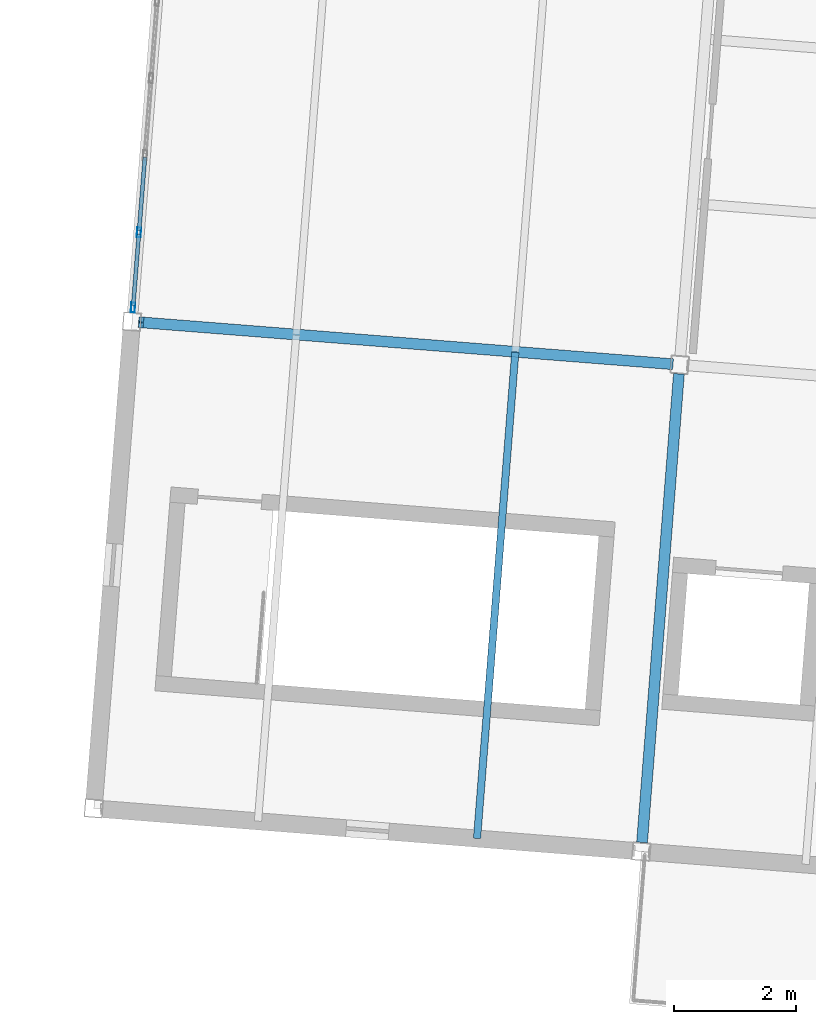
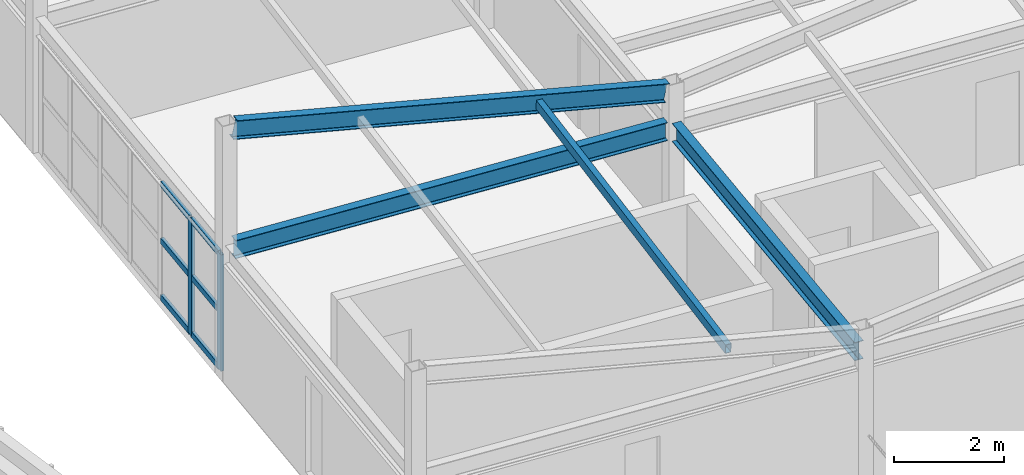
# One storey, part 40 of 127: 9 members, 3 beams, 1 element without a shape of its own.
"""IFC4 building model written with IfcOpenShell, lengths in metres."""

from ifc_helpers import new_model, si_unit, direction, frame, origin, origin_2d, place, context, subcontext, project, spatial, hollow_rectangle, i_section, extrude, material, material_profile, profile_set, type_object, element, aggregate, save


model = new_model("IFC4")

# Units and contexts
model_context = context("Model", 3, precision=1e-05, world=origin(), true_north=direction((0.0, 1.0)))
body_context = subcontext(model_context, "Body", "Model", "MODEL_VIEW")
ifc_project = project(units=[si_unit("LENGTHUNIT", "METRE"), si_unit("AREAUNIT", "SQUARE_METRE"), si_unit("VOLUMEUNIT", "CUBIC_METRE"), si_unit("PLANEANGLEUNIT", "RADIAN"), si_unit("MASSUNIT", "GRAM", prefix="KILO")], contexts=[model_context])

# Site, building, storey
site_placement = place(None, origin())
site = spatial("IfcSite", under=ifc_project, at=site_placement, CompositionType="ELEMENT")
building_placement = place(site_placement, origin())
building = spatial("IfcBuilding", under=site, at=building_placement, Name="Kestramere Prow Commons", CompositionType="ELEMENT")
storey_placement = place(building_placement, frame((0.0, 0.0, 8.39990234375)))
storey = spatial("IfcBuildingStorey", under=building, at=storey_placement, Name="L02", CompositionType="ELEMENT", Elevation=8.39990234375)

# Beams
ifc_material_1 = material(Name="Steel S355JR", Category="steel")
ifc_material_profile_1 = material_profile(ifc_material_1, i_section(OverallWidth=0.177978515625, OverallDepth=0.406494140625, WebThickness=0.0078125, FlangeThickness=0.0126953125, FilletRadius=0.01025390625, at=origin_2d()), Name="UB 406x178x60")
ifc_profile_set_1 = profile_set([ifc_material_profile_1], Name="Steel S355JR")
beam_type = type_object("IfcBeamType", Name="BM-NR-01 UB 406x178x60", PredefinedType="BEAM", material=ifc_profile_set_1)
beam_1_placement = place(storey_placement, frame((69.377197265625, 93.463623046875, 2.796875), z_axis=(0.996917066238, -0.078462494502, 0.0), x_axis=(0.078462494502, 0.996917066238, 0.0)))
element("IfcBeam", 1, at=beam_1_placement, inside=storey, type_object=beam_type, Name="Nursery L02 Beam U 2-1", PredefinedType="BEAM", context=body_context, shape_type="SweptSolid", body=[
    extrude(i_section(OverallWidth=0.177978515625, OverallDepth=0.406494140625, WebThickness=0.0078125, FlangeThickness=0.0126953125, FilletRadius=0.01025390625, at=origin_2d()), origin(), (0.0, 0.0, 1.0), 8.699951171875),
])
beam_2_placement = place(storey_placement, frame((77.583984375, 84.943359375, 2.796875), z_axis=(0.078473620365, 0.996916190513, 0.0), x_axis=(-0.996916190513, 0.078473620365, 0.0)))
element("IfcBeam", 2, at=beam_2_placement, inside=storey, type_object=beam_type, Name="Nursery L02 Beam V 2-1", PredefinedType="BEAM", context=body_context, shape_type="SweptSolid", body=[
    extrude(i_section(OverallWidth=0.177978515625, OverallDepth=0.406494140625, WebThickness=0.0078125, FlangeThickness=0.0126953125, FilletRadius=0.01025390625, at=origin_2d()), origin(), (0.0, 0.0, 1.0), 7.699951171875),
])
beam_3_placement = place(storey_placement, frame((69.377197265625, 93.463623046875, 5.4501953125), z_axis=(0.976239954943, -0.076835099621, -0.20261272872), x_axis=(0.078462494502, 0.996917066238, 0.0)))
element("IfcBeam", 3, at=beam_3_placement, inside=storey, type_object=beam_type, Name="Nursery Butterfly Rafter 2-1", PredefinedType="BEAM", context=body_context, shape_type="SweptSolid", body=[
    extrude(i_section(OverallWidth=0.177978515625, OverallDepth=0.406494140625, WebThickness=0.0078125, FlangeThickness=0.0126953125, FilletRadius=0.01025390625, at=origin_2d()), origin(), (0.0, 0.0, 1.0), 8.88427734375),
])

# Curtain wall, members
ifc_material_2 = material(Name="Anodised Aluminium and Low-E Glass", Category="aluminium")
curtain_wall_type = type_object("IfcCurtainWallType", Name="CW-18 Glazed Curtain Wall 7600x2580", PredefinedType="USERDEFINED", material=ifc_material_2)
curtain_wall_placement = place(storey_placement, origin())
curtain_wall = element("IfcCurtainWall", 4, at=curtain_wall_placement, inside=storey, type_object=curtain_wall_type, Name="Nursery L02 W End Glazing", ObjectType="GLAZED CURTAIN WALL", PredefinedType="USERDEFINED")
ifc_material_3 = material(Name="Anodised Aluminium 6063-T6", Category="aluminium")
ifc_material_profile_2 = material_profile(ifc_material_3, hollow_rectangle(XDim=0.06494140625, YDim=0.159912109375, WallThickness=0.00390625, at=origin_2d()), Name="ALU-MUL 65x160")
ifc_profile_set_2 = profile_set([ifc_material_profile_2], Name="Anodised Aluminium 6063-T6")
member_type_1 = type_object("IfcMemberType", Name="CW-MUL-65x160", PredefinedType="MULLION", material=ifc_profile_set_2)
member_1_placement = place(storey_placement, frame((69.245849609375, 93.70703125, 0.0), z_axis=(0.0, 0.0, 1.0), x_axis=(-0.996917335259, 0.078459076345, 0.0)))
member_1 = element("IfcMember", 5, at=member_1_placement, type_object=member_type_1, Name="CW-18 mullion 1", PredefinedType="MULLION", context=body_context, shape_type="SweptSolid", body=[
    extrude(hollow_rectangle(XDim=0.06494140625, YDim=0.159912109375, WallThickness=0.00390625, at=origin_2d()), origin(), (0.0, 0.0, 1.0), 2.580078125),
])
member_2_placement = place(storey_placement, frame((69.3427734375, 94.9375, 0.0), z_axis=(0.0, 0.0, 1.0), x_axis=(-0.996917335259, 0.078459076345, 0.0)))
member_2 = element("IfcMember", 6, at=member_2_placement, type_object=member_type_1, Name="CW-18 mullion 2", PredefinedType="MULLION", context=body_context, shape_type="SweptSolid", body=[
    extrude(hollow_rectangle(XDim=0.06494140625, YDim=0.159912109375, WallThickness=0.00390625, at=origin_2d()), origin(), (0.0, 0.0, 1.0), 2.580078125),
])
ifc_material_profile_3 = material_profile(ifc_material_3, hollow_rectangle(XDim=0.06494140625, YDim=0.1298828125, WallThickness=0.00390625, at=origin_2d()), Name="ALU-TRN 65x130")
ifc_profile_set_3 = profile_set([ifc_material_profile_3], Name="Anodised Aluminium 6063-T6")
member_type_2 = type_object("IfcMemberType", Name="CW-TRN-65x130", PredefinedType="USERDEFINED", material=ifc_profile_set_3)
member_3_placement = place(storey_placement, frame((69.24853515625, 93.739501953125, 0.03271484375), z_axis=(0.078309262245, 0.996929114555, 0.0), x_axis=(-0.996929114555, 0.078309262245, 0.0)))
member_3 = element("IfcMember", 7, at=member_3_placement, type_object=member_type_2, Name="CW-18 transom 1.1", ObjectType="TRANSOM", PredefinedType="USERDEFINED", context=body_context, shape_type="SweptSolid", body=[
    extrude(hollow_rectangle(XDim=0.06494140625, YDim=0.1298828125, WallThickness=0.00390625, at=origin_2d()), origin(), (0.0, 0.0, 1.0), 1.169189453125),
])
member_4_placement = place(storey_placement, frame((69.24853515625, 93.739501953125, 1.2900390625), z_axis=(0.078309262245, 0.996929114555, 0.0), x_axis=(-0.996929114555, 0.078309262245, 0.0)))
member_4 = element("IfcMember", 8, at=member_4_placement, type_object=member_type_2, Name="CW-18 transom 1.2", ObjectType="TRANSOM", PredefinedType="USERDEFINED", context=body_context, shape_type="SweptSolid", body=[
    extrude(hollow_rectangle(XDim=0.06494140625, YDim=0.1298828125, WallThickness=0.00390625, at=origin_2d()), origin(), (0.0, 0.0, 1.0), 1.169189453125),
])
member_5_placement = place(storey_placement, frame((69.24853515625, 93.739501953125, 2.547607421875), z_axis=(0.078309262245, 0.996929114555, 0.0), x_axis=(-0.996929114555, 0.078309262245, 0.0)))
member_5 = element("IfcMember", 9, at=member_5_placement, type_object=member_type_2, Name="CW-18 transom 1.3", ObjectType="TRANSOM", PredefinedType="USERDEFINED", context=body_context, shape_type="SweptSolid", body=[
    extrude(hollow_rectangle(XDim=0.06494140625, YDim=0.1298828125, WallThickness=0.00390625, at=origin_2d()), origin(), (0.0, 0.0, 1.0), 1.169189453125),
])
member_6_placement = place(storey_placement, frame((69.34521484375, 94.969970703125, 0.03271484375), z_axis=(0.078638714048, 0.996903181183, 0.0), x_axis=(-0.996903181183, 0.078638714048, 0.0)))
member_6 = element("IfcMember", 10, at=member_6_placement, type_object=member_type_2, Name="CW-18 transom 2.1", ObjectType="TRANSOM", PredefinedType="USERDEFINED", context=body_context, shape_type="SweptSolid", body=[
    extrude(hollow_rectangle(XDim=0.06494140625, YDim=0.1298828125, WallThickness=0.00390625, at=origin_2d()), origin(), (0.0, 0.0, 1.0), 1.201416015625),
])
member_7_placement = place(storey_placement, frame((69.34521484375, 94.969970703125, 1.2900390625), z_axis=(0.078638714048, 0.996903181183, 0.0), x_axis=(-0.996903181183, 0.078638714048, 0.0)))
member_7 = element("IfcMember", 11, at=member_7_placement, type_object=member_type_2, Name="CW-18 transom 2.2", ObjectType="TRANSOM", PredefinedType="USERDEFINED", context=body_context, shape_type="SweptSolid", body=[
    extrude(hollow_rectangle(XDim=0.06494140625, YDim=0.1298828125, WallThickness=0.00390625, at=origin_2d()), origin(), (0.0, 0.0, 1.0), 1.201416015625),
])
member_8_placement = place(storey_placement, frame((69.34521484375, 94.969970703125, 2.547607421875), z_axis=(0.078638714048, 0.996903181183, 0.0), x_axis=(-0.996903181183, 0.078638714048, 0.0)))
member_8 = element("IfcMember", 12, at=member_8_placement, type_object=member_type_2, Name="CW-18 transom 2.3", ObjectType="TRANSOM", PredefinedType="USERDEFINED", context=body_context, shape_type="SweptSolid", body=[
    extrude(hollow_rectangle(XDim=0.06494140625, YDim=0.1298828125, WallThickness=0.00390625, at=origin_2d()), origin(), (0.0, 0.0, 1.0), 1.201416015625),
])
aggregate(curtain_wall, [member_1, member_2, member_3, member_4, member_5, member_6, member_7, member_8])

# Member
ifc_material_profile_4 = material_profile(ifc_material_1, hollow_rectangle(XDim=0.1201171875, YDim=0.199951171875, WallThickness=0.008056640625, at=origin_2d()), Name="RHS 200x120x8")
ifc_profile_set_4 = profile_set([ifc_material_profile_4], Name="Steel S355JR")
member_type_3 = type_object("IfcMemberType", Name="PUR-NR-01 RHS 200x120x8", PredefinedType="PURLIN", material=ifc_profile_set_4)
member_9_placement = place(storey_placement, frame((74.881103515625, 85.013671875, 3.747314453125), z_axis=(0.078374248355, 0.995774452398, 0.047861436934), x_axis=(-0.996916934406, 0.078464169489, 0.0)))
element("IfcMember", 13, at=member_9_placement, inside=storey, type_object=member_type_3, Name="Nursery Roof Purlin 1-1-7", PredefinedType="PURLIN", context=body_context, shape_type="SweptSolid", body=[
    extrude(hollow_rectangle(XDim=0.1201171875, YDim=0.199951171875, WallThickness=0.008056640625, at=origin_2d()), origin(), (0.0, 0.0, 1.0), 7.9931640625),
])

save(model, "model.ifc")
